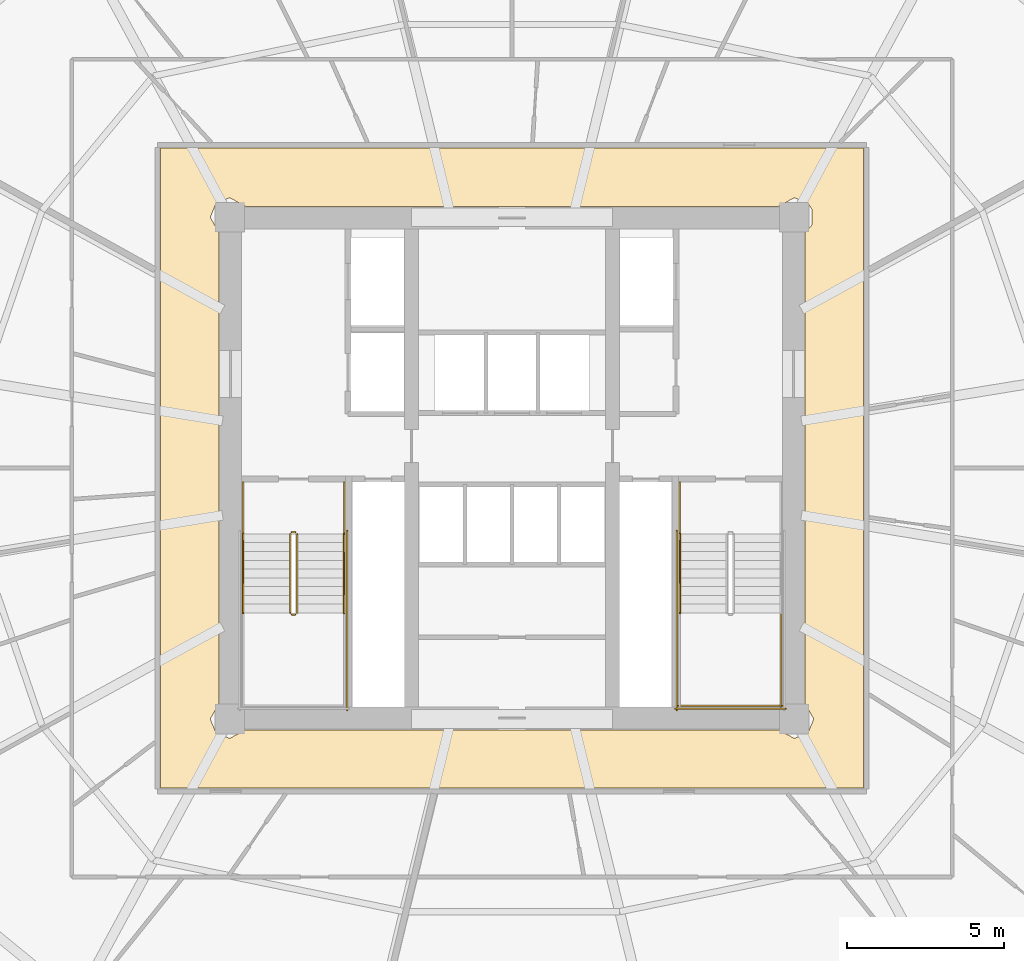
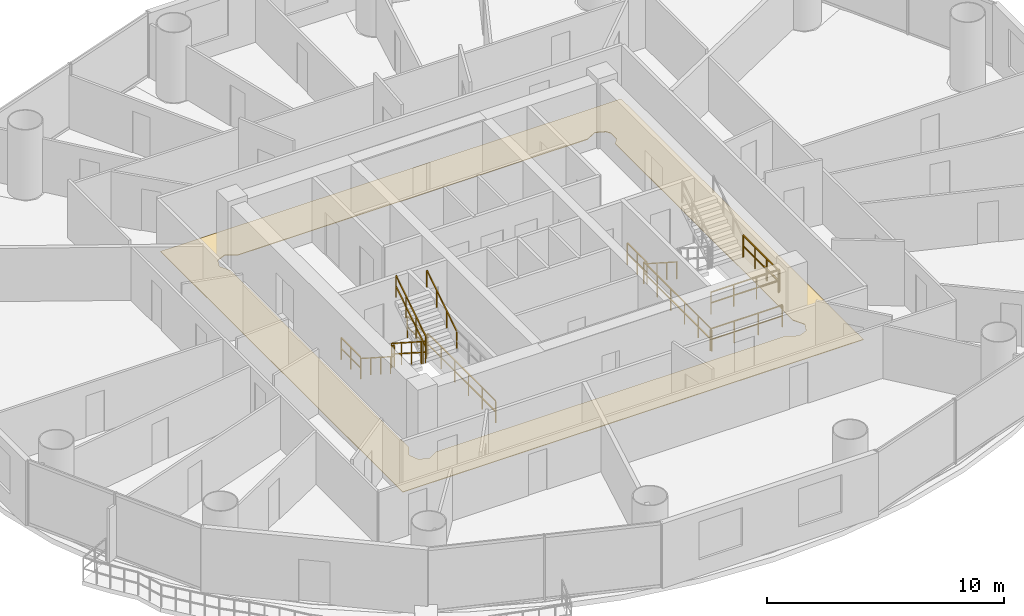
# One storey, part 27 of 29: 15 railings, 1 covering.
"""IFC4 building model written with IfcOpenShell, lengths in metres."""

from ifc_helpers import new_model, si_unit, direction, frame, origin, origin_2d, place, context, subcontext, project, spatial, polyline, rectangle, outline, extrude, material, layer, layer_set, type_object, element, save


model = new_model("IFC4")

# Units and contexts
model_context = context("Model", 3, precision=1e-05, world=origin(), true_north=direction((-0.2419218956, 0.970295726276)))
body_context = subcontext(model_context, "Body", "Model", "MODEL_VIEW")
ifc_project = project(units=[si_unit("LENGTHUNIT", "METRE"), si_unit("AREAUNIT", "SQUARE_METRE"), si_unit("VOLUMEUNIT", "CUBIC_METRE"), si_unit("PLANEANGLEUNIT", "RADIAN"), si_unit("MASSUNIT", "GRAM", prefix="KILO")], contexts=[model_context])

# Site, building, storey
site_placement = place(None, origin())
site = spatial("IfcSite", under=ifc_project, at=site_placement, CompositionType="ELEMENT")
building_placement = place(site_placement, origin())
building = spatial("IfcBuilding", under=site, at=building_placement, Name="Cobrevalo Terracotta Tower", CompositionType="ELEMENT")
storey_placement = place(building_placement, frame((0.0, 0.0, 90.60009765625)))
storey = spatial("IfcBuildingStorey", under=building, at=storey_placement, Name="L23", CompositionType="ELEMENT", Elevation=90.60009765625)

# Covering
ifc_material_1 = material(Name="Honed terracotta and granite tile", Category="masonry")
ifc_layer = layer(ifc_material_1, 0.034912109375)
ifc_layer_set = layer_set([ifc_layer], Name="Honed terracotta and granite tile")
covering_type = type_object("IfcCoveringType", Name="Honed Terracotta & Granite Interior Flooring 35", PredefinedType="FLOORING", material=ifc_layer_set)
covering_placement = place(storey_placement, origin())
element("IfcCovering", 1, at=covering_placement, inside=storey, type_object=covering_type, Name="L23 Residential Floor Corridor floor finish", PredefinedType="FLOORING", context=body_context, shape_type="SweptSolid", body=[
    extrude(outline(polyline([(49.205078125, 37.0048828125), (49.205078125, 16.594970703125), (26.794921875, 16.594970703125), (26.794921875, 37.0048828125), (49.205078125, 37.0048828125)]), holes=[polyline([(47.344970703125, 34.298828125), (47.5732421875, 34.5625), (47.5732421875, 35.037353515625), (47.438720703125, 35.23876953125), (47.0, 35.42041015625), (46.498779296875, 35.14501953125), (29.501220703125, 35.14501953125), (29.0, 35.42041015625), (28.561279296875, 35.23876953125), (28.379638671875, 34.800048828125), (28.655029296875, 34.298828125), (28.655029296875, 19.30126953125), (28.379638671875, 18.800048828125), (28.561279296875, 18.361328125), (29.0, 18.1796875), (29.501220703125, 18.455078125), (46.498779296875, 18.455078125), (47.0, 18.1796875), (47.438720703125, 18.361328125), (47.620361328125, 18.800048828125), (47.344970703125, 19.30126953125), (47.344970703125, 34.298828125)])]), origin(), (0.0, 0.0, 1.0), 0.02978515625),
])

# Railings
ifc_material_2 = material(Name="Brushed stainless steel", Category="steel")
railing_type_1 = type_object("IfcRailingType", Name="Stainless Steel Stair Handrail 900", PredefinedType="HANDRAIL", material=ifc_material_2)
railing_1_placement = place(storey_placement, frame((29.425048828125, 24.699951171875, 0.179931640625)))
element("IfcRailing", 2, at=railing_1_placement, inside=storey, type_object=railing_type_1, Name="L23 ST-1 stair handrail 1", PredefinedType="HANDRAIL", context=body_context, shape_type="SweptSolid", body=[
    extrude(rectangle(XDim=0.048095703125, YDim=0.048095703125, at=origin_2d()), frame((0.0, 0.0, 0.8759765625), z_axis=(0.0, -0.841199657755, 0.540724639528), x_axis=(1.0, 0.0, 0.0)), (0.0, 0.0, 1.0), 2.995849609375),
    extrude(rectangle(XDim=0.0419921875, YDim=0.0419921875, at=origin_2d()), origin(), (0.0, 0.0, 1.0), 0.851806640625),
    extrude(rectangle(XDim=0.0419921875, YDim=0.0419921875, at=origin_2d()), frame((0.0, -0.840087890625, 0.5400390625)), (0.0, 0.0, 1.0), 0.851806640625),
    extrude(rectangle(XDim=0.0419921875, YDim=0.0419921875, at=origin_2d()), frame((0.0, -1.679931640625, 1.079833984375)), (0.0, 0.0, 1.0), 0.851806640625),
    extrude(rectangle(XDim=0.0419921875, YDim=0.0419921875, at=origin_2d()), frame((0.0, -2.52001953125, 1.619873046875)), (0.0, 0.0, 1.0), 0.851806640625),
])
railing_2_placement = place(storey_placement, frame((32.64501953125, 22.179931640625, 1.97998046875)))
element("IfcRailing", 3, at=railing_2_placement, inside=storey, type_object=railing_type_1, Name="L23 ST-1 stair handrail 2", PredefinedType="HANDRAIL", context=body_context, shape_type="SweptSolid", body=[
    extrude(rectangle(XDim=0.048095703125, YDim=0.048095703125, at=origin_2d()), frame((0.0, 0.0, 0.8759765625), z_axis=(0.0, 0.841199657755, 0.540724639528), x_axis=(-1.0, 0.0, 0.0)), (0.0, 0.0, 1.0), 2.995849609375),
    extrude(rectangle(XDim=0.0419921875, YDim=0.0419921875, at=origin_2d()), origin(), (0.0, 0.0, 1.0), 0.851806640625),
    extrude(rectangle(XDim=0.0419921875, YDim=0.0419921875, at=origin_2d()), frame((0.0, 0.840087890625, 0.5400390625)), (0.0, 0.0, 1.0), 0.851806640625),
    extrude(rectangle(XDim=0.0419921875, YDim=0.0419921875, at=origin_2d()), frame((0.0, 1.679931640625, 1.079833984375)), (0.0, 0.0, 1.0), 0.851806640625),
    extrude(rectangle(XDim=0.0419921875, YDim=0.0419921875, at=origin_2d()), frame((0.0, 2.52001953125, 1.619873046875)), (0.0, 0.0, 1.0), 0.851806640625),
])
railing_3_placement = place(storey_placement, frame((43.35498046875, 24.699951171875, 0.179931640625)))
element("IfcRailing", 4, at=railing_3_placement, inside=storey, type_object=railing_type_1, Name="L23 ST-2 stair handrail 1", PredefinedType="HANDRAIL", context=body_context, shape_type="SweptSolid", body=[
    extrude(rectangle(XDim=0.048095703125, YDim=0.048095703125, at=origin_2d()), frame((0.0, 0.0, 0.8759765625), z_axis=(0.0, -0.841199657755, 0.540724639528), x_axis=(1.0, 0.0, 0.0)), (0.0, 0.0, 1.0), 2.995849609375),
    extrude(rectangle(XDim=0.0419921875, YDim=0.0419921875, at=origin_2d()), origin(), (0.0, 0.0, 1.0), 0.851806640625),
    extrude(rectangle(XDim=0.0419921875, YDim=0.0419921875, at=origin_2d()), frame((0.0, -0.840087890625, 0.5400390625)), (0.0, 0.0, 1.0), 0.851806640625),
    extrude(rectangle(XDim=0.0419921875, YDim=0.0419921875, at=origin_2d()), frame((0.0, -1.679931640625, 1.079833984375)), (0.0, 0.0, 1.0), 0.851806640625),
    extrude(rectangle(XDim=0.0419921875, YDim=0.0419921875, at=origin_2d()), frame((0.0, -2.52001953125, 1.619873046875)), (0.0, 0.0, 1.0), 0.851806640625),
])
ifc_material_3 = material(Name="Painted galvanized steel", Category="steel")
railing_type_2 = type_object("IfcRailingType", Name="Stair Well Guard Balustrade 1150", PredefinedType="GUARDRAIL", material=ifc_material_3)
railing_4_placement = place(storey_placement, frame((30.925048828125, 24.699951171875, 0.179931640625)))
element("IfcRailing", 5, at=railing_4_placement, inside=storey, type_object=railing_type_2, Name="L23 ST-1 stair guard 1", PredefinedType="GUARDRAIL", context=body_context, shape_type="SweptSolid", body=[
    extrude(rectangle(XDim=0.048095703125, YDim=0.048095703125, at=origin_2d()), frame((0.0, 0.0, 1.1259765625), z_axis=(0.0, -0.841199657755, 0.540724639528), x_axis=(1.0, 0.0, 0.0)), (0.0, 0.0, 1.0), 2.995849609375),
    extrude(rectangle(XDim=0.048095703125, YDim=0.048095703125, at=origin_2d()), frame((0.0, 0.0, 0.574951171875), z_axis=(0.0, -0.841199657755, 0.540724639528), x_axis=(1.0, 0.0, 0.0)), (0.0, 0.0, 1.0), 2.995849609375),
    extrude(rectangle(XDim=0.0419921875, YDim=0.0419921875, at=origin_2d()), origin(), (0.0, 0.0, 1.0), 1.101806640625),
    extrude(rectangle(XDim=0.0419921875, YDim=0.0419921875, at=origin_2d()), frame((0.0, -0.840087890625, 0.5400390625)), (0.0, 0.0, 1.0), 1.101806640625),
    extrude(rectangle(XDim=0.0419921875, YDim=0.0419921875, at=origin_2d()), frame((0.0, -1.679931640625, 1.079833984375)), (0.0, 0.0, 1.0), 1.101806640625),
    extrude(rectangle(XDim=0.0419921875, YDim=0.0419921875, at=origin_2d()), frame((0.0, -2.52001953125, 1.619873046875)), (0.0, 0.0, 1.0), 1.101806640625),
])
railing_5_placement = place(storey_placement, frame((30.97509765625, 22.1298828125, 1.7998046875)))
element("IfcRailing", 6, at=railing_5_placement, inside=storey, type_object=railing_type_2, Name="L23 ST-1 stair guard 2", PredefinedType="GUARDRAIL", context=body_context, shape_type="SweptSolid", body=[
    extrude(rectangle(XDim=0.048095703125, YDim=0.048095703125, at=origin_2d()), frame((0.0, 0.0, 1.1259765625), z_axis=(1.0, 0.0, 0.0), x_axis=(0.0, 1.0, 0.0)), (0.0, 0.0, 1.0), 0.119873046875),
    extrude(rectangle(XDim=0.048095703125, YDim=0.048095703125, at=origin_2d()), frame((0.0, 0.0, 0.574951171875), z_axis=(1.0, 0.0, 0.0), x_axis=(0.0, 1.0, 0.0)), (0.0, 0.0, 1.0), 0.119873046875),
    extrude(rectangle(XDim=0.0419921875, YDim=0.0419921875, at=origin_2d()), origin(), (0.0, 0.0, 1.0), 1.101806640625),
    extrude(rectangle(XDim=0.0419921875, YDim=0.0419921875, at=origin_2d()), frame((0.119873046875, 0.0, 0.0)), (0.0, 0.0, 1.0), 1.101806640625),
])
railing_6_placement = place(storey_placement, frame((31.14501953125, 22.179931640625, 1.97998046875)))
element("IfcRailing", 7, at=railing_6_placement, inside=storey, type_object=railing_type_2, Name="L23 ST-1 stair guard 6", PredefinedType="GUARDRAIL", context=body_context, shape_type="SweptSolid", body=[
    extrude(rectangle(XDim=0.048095703125, YDim=0.048095703125, at=origin_2d()), frame((0.0, 0.0, 1.1259765625), z_axis=(0.0, 0.841199657755, 0.540724639528), x_axis=(-1.0, 0.0, 0.0)), (0.0, 0.0, 1.0), 2.995849609375),
    extrude(rectangle(XDim=0.048095703125, YDim=0.048095703125, at=origin_2d()), frame((0.0, 0.0, 0.574951171875), z_axis=(0.0, 0.841199657755, 0.540724639528), x_axis=(-1.0, 0.0, 0.0)), (0.0, 0.0, 1.0), 2.995849609375),
    extrude(rectangle(XDim=0.0419921875, YDim=0.0419921875, at=origin_2d()), origin(), (0.0, 0.0, 1.0), 1.101806640625),
    extrude(rectangle(XDim=0.0419921875, YDim=0.0419921875, at=origin_2d()), frame((0.0, 0.840087890625, 0.5400390625)), (0.0, 0.0, 1.0), 1.101806640625),
    extrude(rectangle(XDim=0.0419921875, YDim=0.0419921875, at=origin_2d()), frame((0.0, 1.679931640625, 1.079833984375)), (0.0, 0.0, 1.0), 1.101806640625),
    extrude(rectangle(XDim=0.0419921875, YDim=0.0419921875, at=origin_2d()), frame((0.0, 2.52001953125, 1.619873046875)), (0.0, 0.0, 1.0), 1.101806640625),
])
railing_7_placement = place(storey_placement, frame((30.97509765625, 24.75, 0.0)))
element("IfcRailing", 8, at=railing_7_placement, inside=storey, type_object=railing_type_2, Name="L23 ST-1 stair guard 7", PredefinedType="GUARDRAIL", context=body_context, shape_type="SweptSolid", body=[
    extrude(rectangle(XDim=0.048095703125, YDim=0.048095703125, at=origin_2d()), frame((0.0, 0.0, 1.1259765625), z_axis=(1.0, 0.0, 0.0), x_axis=(0.0, 1.0, 0.0)), (0.0, 0.0, 1.0), 0.119873046875),
    extrude(rectangle(XDim=0.048095703125, YDim=0.048095703125, at=origin_2d()), frame((0.0, 0.0, 0.574951171875), z_axis=(1.0, 0.0, 0.0), x_axis=(0.0, 1.0, 0.0)), (0.0, 0.0, 1.0), 0.119873046875),
    extrude(rectangle(XDim=0.0419921875, YDim=0.0419921875, at=origin_2d()), origin(), (0.0, 0.0, 1.0), 1.101806640625),
    extrude(rectangle(XDim=0.0419921875, YDim=0.0419921875, at=origin_2d()), frame((0.119873046875, 0.0, 0.0)), (0.0, 0.0, 1.0), 1.101806640625),
])
for number, where, name in (
    (9, (29.425048828125, 26.35009765625, 0.0), "L23 ST-1 stair guard 8"),
    (10, (32.64501953125, 26.35009765625, 0.0), "L23 ST-1 stair guard 9"),
):
    element("IfcRailing", number, at=place(storey_placement, frame(where)), inside=storey, type_object=railing_type_2, Name=name, PredefinedType="GUARDRAIL", context=body_context, shape_type="SweptSolid", body=[
        extrude(rectangle(XDim=0.048095703125, YDim=0.048095703125, at=origin_2d()), frame((0.0, 0.0, 1.1259765625), z_axis=(0.0, -1.0, 0.0), x_axis=(1.0, 0.0, 0.0)), (0.0, 0.0, 1.0), 1.650146484375),
        extrude(rectangle(XDim=0.048095703125, YDim=0.048095703125, at=origin_2d()), frame((0.0, 0.0, 0.574951171875), z_axis=(0.0, -1.0, 0.0), x_axis=(1.0, 0.0, 0.0)), (0.0, 0.0, 1.0), 1.650146484375),
        extrude(rectangle(XDim=0.0419921875, YDim=0.0419921875, at=origin_2d()), origin(), (0.0, 0.0, 1.0), 1.101806640625),
        extrude(rectangle(XDim=0.0419921875, YDim=0.0419921875, at=origin_2d()), frame((0.0, -0.8251953125, 0.0)), (0.0, 0.0, 1.0), 1.101806640625),
        extrude(rectangle(XDim=0.0419921875, YDim=0.0419921875, at=origin_2d()), frame((0.0, -1.650146484375, 0.0)), (0.0, 0.0, 1.0), 1.101806640625),
    ])
railing_8_placement = place(storey_placement, frame((32.7451171875, 24.800048828125, 0.0)))
element("IfcRailing", 11, at=railing_8_placement, inside=storey, type_object=railing_type_2, Name="L23 ST-1 stair guard 11", PredefinedType="GUARDRAIL", context=body_context, shape_type="SweptSolid", body=[
    extrude(rectangle(XDim=0.048095703125, YDim=0.048095703125, at=origin_2d()), frame((0.0, 0.0, 1.1259765625), z_axis=(0.0, -1.0, 0.0), x_axis=(1.0, 0.0, 0.0)), (0.0, 0.0, 1.0), 5.72509765625),
    extrude(rectangle(XDim=0.048095703125, YDim=0.048095703125, at=origin_2d()), frame((0.0, 0.0, 0.574951171875), z_axis=(0.0, -1.0, 0.0), x_axis=(1.0, 0.0, 0.0)), (0.0, 0.0, 1.0), 5.72509765625),
    extrude(rectangle(XDim=0.0419921875, YDim=0.0419921875, at=origin_2d()), origin(), (0.0, 0.0, 1.0), 1.101806640625),
    extrude(rectangle(XDim=0.0419921875, YDim=0.0419921875, at=origin_2d()), frame((0.0, -1.14501953125, 0.0)), (0.0, 0.0, 1.0), 1.101806640625),
    extrude(rectangle(XDim=0.0419921875, YDim=0.0419921875, at=origin_2d()), frame((0.0, -2.2900390625, 0.0)), (0.0, 0.0, 1.0), 1.101806640625),
    extrude(rectangle(XDim=0.0419921875, YDim=0.0419921875, at=origin_2d()), frame((0.0, -3.43505859375, 0.0)), (0.0, 0.0, 1.0), 1.101806640625),
    extrude(rectangle(XDim=0.0419921875, YDim=0.0419921875, at=origin_2d()), frame((0.0, -4.580078125, 0.0)), (0.0, 0.0, 1.0), 1.101806640625),
    extrude(rectangle(XDim=0.0419921875, YDim=0.0419921875, at=origin_2d()), frame((0.0, -5.72509765625, 0.0)), (0.0, 0.0, 1.0), 1.101806640625),
])
railing_9_placement = place(storey_placement, frame((46.574951171875, 22.179931640625, 1.7998046875)))
element("IfcRailing", 12, at=railing_9_placement, inside=storey, type_object=railing_type_2, Name="L23 ST-2 stair guard 4", PredefinedType="GUARDRAIL", context=body_context, shape_type="SweptSolid", body=[
    extrude(rectangle(XDim=0.048095703125, YDim=0.048095703125, at=origin_2d()), frame((0.0, 0.0, 1.1259765625), z_axis=(0.0, -1.0, 0.0), x_axis=(1.0, 0.0, 0.0)), (0.0, 0.0, 1.0), 3.0048828125),
    extrude(rectangle(XDim=0.048095703125, YDim=0.048095703125, at=origin_2d()), frame((0.0, 0.0, 0.574951171875), z_axis=(0.0, -1.0, 0.0), x_axis=(1.0, 0.0, 0.0)), (0.0, 0.0, 1.0), 3.0048828125),
    extrude(rectangle(XDim=0.0419921875, YDim=0.0419921875, at=origin_2d()), origin(), (0.0, 0.0, 1.0), 1.101806640625),
    extrude(rectangle(XDim=0.0419921875, YDim=0.0419921875, at=origin_2d()), frame((0.0, -1.001708984375, 0.0)), (0.0, 0.0, 1.0), 1.101806640625),
    extrude(rectangle(XDim=0.0419921875, YDim=0.0419921875, at=origin_2d()), frame((0.0, -2.003173828125, 0.0)), (0.0, 0.0, 1.0), 1.101806640625),
    extrude(rectangle(XDim=0.0419921875, YDim=0.0419921875, at=origin_2d()), frame((0.0, -3.0048828125, 0.0)), (0.0, 0.0, 1.0), 1.101806640625),
])
railing_10_placement = place(storey_placement, frame((43.304931640625, 19.22509765625, 1.7998046875)))
element("IfcRailing", 13, at=railing_10_placement, inside=storey, type_object=railing_type_2, Name="L23 ST-2 stair guard 5", PredefinedType="GUARDRAIL", context=body_context, shape_type="SweptSolid", body=[
    extrude(rectangle(XDim=0.048095703125, YDim=0.048095703125, at=origin_2d()), frame((0.0, 0.0, 1.1259765625), z_axis=(1.0, 0.0, 0.0), x_axis=(0.0, 1.0, 0.0)), (0.0, 0.0, 1.0), 3.320068359375),
    extrude(rectangle(XDim=0.048095703125, YDim=0.048095703125, at=origin_2d()), frame((0.0, 0.0, 0.574951171875), z_axis=(1.0, 0.0, 0.0), x_axis=(0.0, 1.0, 0.0)), (0.0, 0.0, 1.0), 3.320068359375),
    extrude(rectangle(XDim=0.0419921875, YDim=0.0419921875, at=origin_2d()), origin(), (0.0, 0.0, 1.0), 1.101806640625),
    extrude(rectangle(XDim=0.0419921875, YDim=0.0419921875, at=origin_2d()), frame((1.106689453125, 0.0, 0.0)), (0.0, 0.0, 1.0), 1.101806640625),
    extrude(rectangle(XDim=0.0419921875, YDim=0.0419921875, at=origin_2d()), frame((2.21337890625, 0.0, 0.0)), (0.0, 0.0, 1.0), 1.101806640625),
    extrude(rectangle(XDim=0.0419921875, YDim=0.0419921875, at=origin_2d()), frame((3.320068359375, 0.0, 0.0)), (0.0, 0.0, 1.0), 1.101806640625),
])
railing_11_placement = place(storey_placement, frame((43.35498046875, 26.35009765625, 0.0)))
element("IfcRailing", 14, at=railing_11_placement, inside=storey, type_object=railing_type_2, Name="L23 ST-2 stair guard 8", PredefinedType="GUARDRAIL", context=body_context, shape_type="SweptSolid", body=[
    extrude(rectangle(XDim=0.048095703125, YDim=0.048095703125, at=origin_2d()), frame((0.0, 0.0, 1.1259765625), z_axis=(0.0, -1.0, 0.0), x_axis=(1.0, 0.0, 0.0)), (0.0, 0.0, 1.0), 1.650146484375),
    extrude(rectangle(XDim=0.048095703125, YDim=0.048095703125, at=origin_2d()), frame((0.0, 0.0, 0.574951171875), z_axis=(0.0, -1.0, 0.0), x_axis=(1.0, 0.0, 0.0)), (0.0, 0.0, 1.0), 1.650146484375),
    extrude(rectangle(XDim=0.0419921875, YDim=0.0419921875, at=origin_2d()), origin(), (0.0, 0.0, 1.0), 1.101806640625),
    extrude(rectangle(XDim=0.0419921875, YDim=0.0419921875, at=origin_2d()), frame((0.0, -0.8251953125, 0.0)), (0.0, 0.0, 1.0), 1.101806640625),
    extrude(rectangle(XDim=0.0419921875, YDim=0.0419921875, at=origin_2d()), frame((0.0, -1.650146484375, 0.0)), (0.0, 0.0, 1.0), 1.101806640625),
])
railing_12_placement = place(storey_placement, frame((43.2548828125, 24.800048828125, 0.0)))
element("IfcRailing", 15, at=railing_12_placement, inside=storey, type_object=railing_type_2, Name="L23 ST-2 stair guard 10", PredefinedType="GUARDRAIL", context=body_context, shape_type="SweptSolid", body=[
    extrude(rectangle(XDim=0.048095703125, YDim=0.048095703125, at=origin_2d()), frame((0.0, 0.0, 1.1259765625), z_axis=(0.0, -1.0, 0.0), x_axis=(1.0, 0.0, 0.0)), (0.0, 0.0, 1.0), 5.72509765625),
    extrude(rectangle(XDim=0.048095703125, YDim=0.048095703125, at=origin_2d()), frame((0.0, 0.0, 0.574951171875), z_axis=(0.0, -1.0, 0.0), x_axis=(1.0, 0.0, 0.0)), (0.0, 0.0, 1.0), 5.72509765625),
    extrude(rectangle(XDim=0.0419921875, YDim=0.0419921875, at=origin_2d()), origin(), (0.0, 0.0, 1.0), 1.101806640625),
    extrude(rectangle(XDim=0.0419921875, YDim=0.0419921875, at=origin_2d()), frame((0.0, -1.14501953125, 0.0)), (0.0, 0.0, 1.0), 1.101806640625),
    extrude(rectangle(XDim=0.0419921875, YDim=0.0419921875, at=origin_2d()), frame((0.0, -2.2900390625, 0.0)), (0.0, 0.0, 1.0), 1.101806640625),
    extrude(rectangle(XDim=0.0419921875, YDim=0.0419921875, at=origin_2d()), frame((0.0, -3.43505859375, 0.0)), (0.0, 0.0, 1.0), 1.101806640625),
    extrude(rectangle(XDim=0.0419921875, YDim=0.0419921875, at=origin_2d()), frame((0.0, -4.580078125, 0.0)), (0.0, 0.0, 1.0), 1.101806640625),
    extrude(rectangle(XDim=0.0419921875, YDim=0.0419921875, at=origin_2d()), frame((0.0, -5.72509765625, 0.0)), (0.0, 0.0, 1.0), 1.101806640625),
])
railing_13_placement = place(storey_placement, frame((43.205078125, 19.125, 0.0)))
element("IfcRailing", 16, at=railing_13_placement, inside=storey, type_object=railing_type_2, Name="L23 ST-2 stair guard 12", PredefinedType="GUARDRAIL", context=body_context, shape_type="SweptSolid", body=[
    extrude(rectangle(XDim=0.048095703125, YDim=0.048095703125, at=origin_2d()), frame((0.0, 0.0, 1.1259765625), z_axis=(1.0, 0.0, 0.0), x_axis=(0.0, 1.0, 0.0)), (0.0, 0.0, 1.0), 3.52001953125),
    extrude(rectangle(XDim=0.048095703125, YDim=0.048095703125, at=origin_2d()), frame((0.0, 0.0, 0.574951171875), z_axis=(1.0, 0.0, 0.0), x_axis=(0.0, 1.0, 0.0)), (0.0, 0.0, 1.0), 3.52001953125),
    extrude(rectangle(XDim=0.0419921875, YDim=0.0419921875, at=origin_2d()), origin(), (0.0, 0.0, 1.0), 1.101806640625),
    extrude(rectangle(XDim=0.0419921875, YDim=0.0419921875, at=origin_2d()), frame((1.17333984375, 0.0, 0.0)), (0.0, 0.0, 1.0), 1.101806640625),
    extrude(rectangle(XDim=0.0419921875, YDim=0.0419921875, at=origin_2d()), frame((2.3466796875, 0.0, 0.0)), (0.0, 0.0, 1.0), 1.101806640625),
    extrude(rectangle(XDim=0.0419921875, YDim=0.0419921875, at=origin_2d()), frame((3.52001953125, 0.0, 0.0)), (0.0, 0.0, 1.0), 1.101806640625),
])

save(model, "model.ifc")
